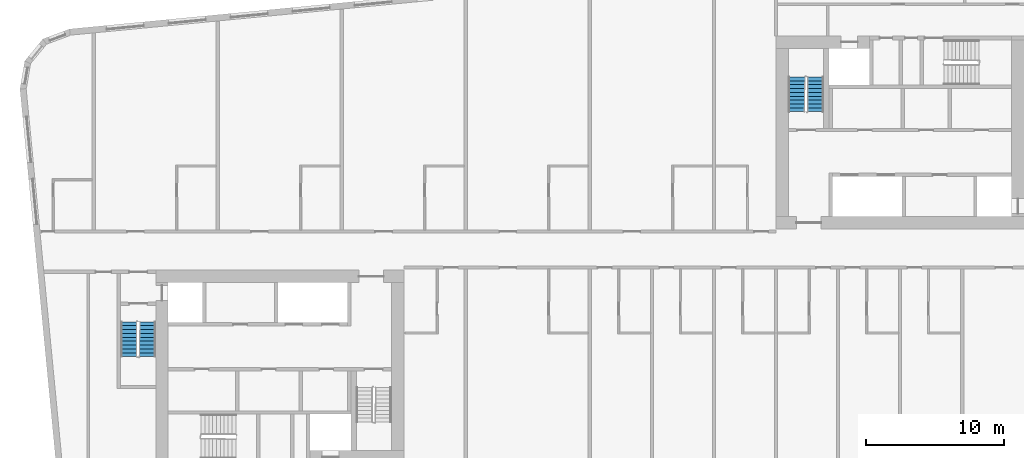
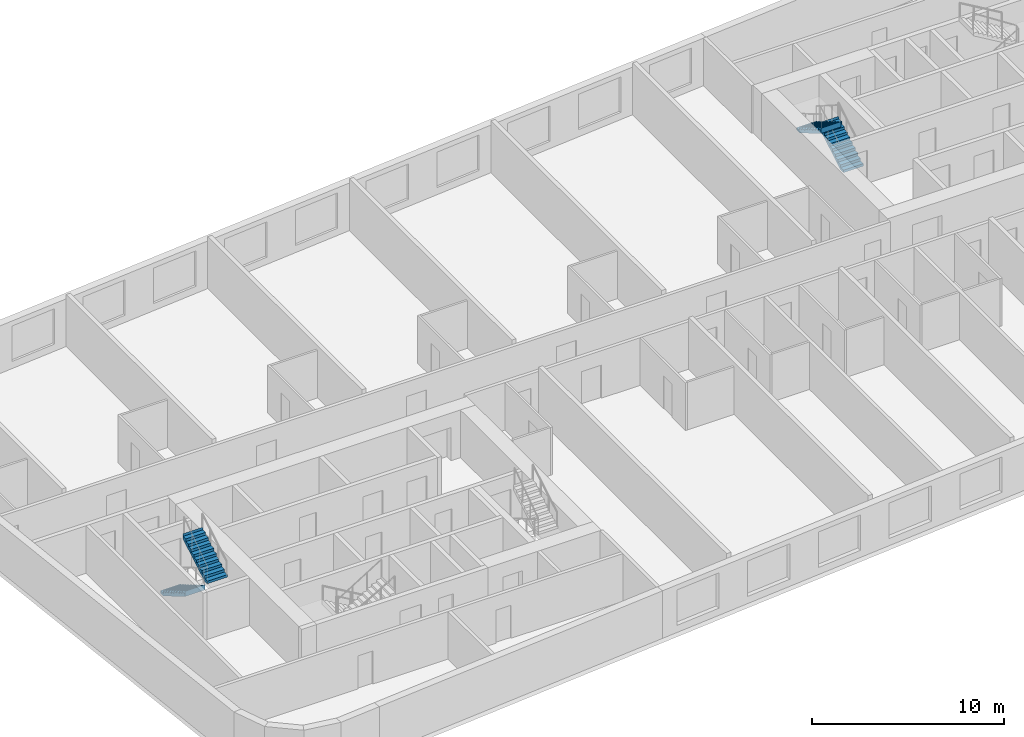
# One storey, part 9 of 11: 4 stair flights, 2 elements without a shape of their own.
"""IFC4 building model written with IfcOpenShell, lengths in metres."""

from ifc_helpers import new_model, si_unit, direction, frame, origin, place, context, subcontext, project, spatial, faceted_brep, material, type_object, element, aggregate, save


model = new_model("IFC4")

# Units and contexts
model_context = context("Model", 3, precision=1e-05, world=origin(), true_north=direction((0.0, 1.0)))
body_context = subcontext(model_context, "Body", "Model", "MODEL_VIEW")
ifc_project = project(units=[si_unit("LENGTHUNIT", "METRE"), si_unit("AREAUNIT", "SQUARE_METRE"), si_unit("VOLUMEUNIT", "CUBIC_METRE"), si_unit("PLANEANGLEUNIT", "RADIAN"), si_unit("MASSUNIT", "GRAM", prefix="KILO")], contexts=[model_context])

# Site, building, storey
site_placement = place(None, origin())
site = spatial("IfcSite", under=ifc_project, at=site_placement, CompositionType="ELEMENT")
building_placement = place(site_placement, origin())
building = spatial("IfcBuilding", under=site, at=building_placement, Name="Kajstack Hotel Tower", CompositionType="ELEMENT")
storey_placement = place(building_placement, frame((0.0, 0.0, 281.699951171875)))
storey = spatial("IfcBuildingStorey", under=building, at=storey_placement, Name="L70", CompositionType="ELEMENT", Elevation=281.699951171875)

# Stair, stair flights
ifc_material = material(Name="Concrete C40/50", Category="concrete")
stair_type = type_object("IfcStairType", Name="Exit stair 1200", PredefinedType="HALF_TURN_STAIR", material=ifc_material)
stair_1_placement = place(storey_placement, origin())
stair_1 = element("IfcStair", 1, at=stair_1_placement, inside=storey, type_object=stair_type, Name="L70 stair W1", PredefinedType="HALF_TURN_STAIR")
stair_flight_type = type_object("IfcStairFlightType", Name="Exit stair flight 1200", PredefinedType="STRAIGHT", material=ifc_material)
stair_flight_1_placement = place(storey_placement, frame((-33.449951171875, -5.25, 0.0), z_axis=(0.0, 0.0, 1.0), x_axis=(0.0, -1.0, 0.0)))
stair_flight_1 = element("IfcStairFlight", 2, at=stair_flight_1_placement, type_object=stair_flight_type, Name="W1 flight 1", NumberOfRisers=10, NumberOfTreads=9, PredefinedType="STRAIGHT", RiserHeight=0.165, TreadLength=0.28, context=body_context, shape_type="Brep", body=[
    faceted_brep([(0.295654296875, -0.60009765625, 0.0), (2.5205078125, -0.60009765625, 1.31103515625), (2.5205078125, -0.60009765625, 1.64990234375), (2.52001953125, -0.60009765625, 1.64990234375), (2.52001953125, -0.60009765625, 1.485107421875), (2.239990234375, -0.60009765625, 1.485107421875), (2.239990234375, -0.60009765625, 1.320068359375), (1.9599609375, -0.60009765625, 1.320068359375), (1.9599609375, -0.60009765625, 1.155029296875), (1.679931640625, -0.60009765625, 1.155029296875), (1.679931640625, -0.60009765625, 0.989990234375), (1.39990234375, -0.60009765625, 0.989990234375), (1.39990234375, -0.60009765625, 0.824951171875), (1.1201171875, -0.60009765625, 0.824951171875), (1.1201171875, -0.60009765625, 0.659912109375), (0.840087890625, -0.60009765625, 0.659912109375), (0.840087890625, -0.60009765625, 0.4951171875), (0.56005859375, -0.60009765625, 0.4951171875), (0.56005859375, -0.60009765625, 0.330078125), (0.280029296875, -0.60009765625, 0.330078125), (0.280029296875, -0.60009765625, 0.1650390625), (-0.00048828125, -0.60009765625, 0.1650390625), (-0.00048828125, -0.60009765625, 0.0), (-0.00048828125, 0.60009765625, 0.0), (-0.00048828125, 0.60009765625, 0.1650390625), (0.280029296875, 0.60009765625, 0.1650390625), (0.280029296875, 0.60009765625, 0.330078125), (0.56005859375, 0.60009765625, 0.330078125), (0.56005859375, 0.60009765625, 0.4951171875), (0.840087890625, 0.60009765625, 0.4951171875), (0.840087890625, 0.60009765625, 0.659912109375), (1.1201171875, 0.60009765625, 0.659912109375), (1.1201171875, 0.60009765625, 0.824951171875), (1.39990234375, 0.60009765625, 0.824951171875), (1.39990234375, 0.60009765625, 0.989990234375), (1.679931640625, 0.60009765625, 0.989990234375), (1.679931640625, 0.60009765625, 1.155029296875), (1.9599609375, 0.60009765625, 1.155029296875), (1.9599609375, 0.60009765625, 1.320068359375), (2.239990234375, 0.60009765625, 1.320068359375), (2.239990234375, 0.60009765625, 1.485107421875), (2.52001953125, 0.60009765625, 1.485107421875), (2.52001953125, 0.60009765625, 1.64990234375), (2.5205078125, 0.60009765625, 1.64990234375), (2.5205078125, 0.60009765625, 1.31103515625), (0.295654296875, 0.60009765625, 0.0), (-0.00048828125, -0.300048828125, 0.1650390625), (-0.00048828125, 0.0, 0.1650390625), (-0.00048828125, 0.300048828125, 0.1650390625), (-0.00048828125, 0.300048828125, 0.0), (-0.00048828125, 0.0, 0.0), (-0.00048828125, -0.300048828125, 0.0), (0.280029296875, -0.300048828125, 0.1650390625), (0.280029296875, 0.0, 0.1650390625), (0.280029296875, 0.300048828125, 0.1650390625), (0.280029296875, -0.300048828125, 0.330078125), (0.280029296875, 0.0, 0.330078125), (0.280029296875, 0.300048828125, 0.330078125), (0.56005859375, -0.300048828125, 0.330078125), (0.56005859375, 0.0, 0.330078125), (0.56005859375, 0.300048828125, 0.330078125), (0.56005859375, -0.300048828125, 0.4951171875), (0.56005859375, 0.0, 0.4951171875), (0.56005859375, 0.300048828125, 0.4951171875), (0.840087890625, -0.300048828125, 0.4951171875), (0.840087890625, 0.0, 0.4951171875), (0.840087890625, 0.300048828125, 0.4951171875), (0.840087890625, -0.300048828125, 0.659912109375), (0.840087890625, 0.0, 0.659912109375), (0.840087890625, 0.300048828125, 0.659912109375), (1.1201171875, -0.300048828125, 0.659912109375), (1.1201171875, 0.0, 0.659912109375), (1.1201171875, 0.300048828125, 0.659912109375), (1.1201171875, -0.300048828125, 0.824951171875), (1.1201171875, 0.0, 0.824951171875), (1.1201171875, 0.300048828125, 0.824951171875), (1.39990234375, -0.300048828125, 0.824951171875), (1.39990234375, 0.0, 0.824951171875), (1.39990234375, 0.300048828125, 0.824951171875), (1.39990234375, -0.300048828125, 0.989990234375), (1.39990234375, 0.0, 0.989990234375), (1.39990234375, 0.300048828125, 0.989990234375), (1.679931640625, -0.300048828125, 0.989990234375), (1.679931640625, 0.0, 0.989990234375), (1.679931640625, 0.300048828125, 0.989990234375), (1.679931640625, -0.300048828125, 1.155029296875), (1.679931640625, 0.0, 1.155029296875), (1.679931640625, 0.300048828125, 1.155029296875), (1.9599609375, -0.300048828125, 1.155029296875), (1.9599609375, 0.0, 1.155029296875), (1.9599609375, 0.300048828125, 1.155029296875), (1.9599609375, -0.300048828125, 1.320068359375), (1.9599609375, 0.0, 1.320068359375), (1.9599609375, 0.300048828125, 1.320068359375), (2.239990234375, -0.300048828125, 1.320068359375), (2.239990234375, 0.0, 1.320068359375), (2.239990234375, 0.300048828125, 1.320068359375), (2.239990234375, -0.300048828125, 1.485107421875), (2.239990234375, 0.0, 1.485107421875), (2.239990234375, 0.300048828125, 1.485107421875), (2.52001953125, -0.300048828125, 1.485107421875), (2.52001953125, 0.0, 1.485107421875), (2.52001953125, 0.300048828125, 1.485107421875), (2.52001953125, -0.300048828125, 1.64990234375), (2.52001953125, 0.0, 1.64990234375), (2.52001953125, 0.300048828125, 1.64990234375), (2.5205078125, -0.300048828125, 1.64990234375), (2.5205078125, 0.0, 1.64990234375), (2.5205078125, 0.300048828125, 1.64990234375), (2.5205078125, -0.300048828125, 1.31103515625), (2.5205078125, 0.0, 1.31103515625), (2.5205078125, 0.300048828125, 1.31103515625), (0.295654296875, -0.300048828125, 0.0), (0.295654296875, 0.0, 0.0), (0.295654296875, 0.300048828125, 0.0)], [[[0, 1, 2, 3, 4, 5, 6, 7, 8, 9, 10, 11, 12, 13, 14, 15, 16, 17, 18, 19, 20, 21, 22]], [[23, 24, 25, 26, 27, 28, 29, 30, 31, 32, 33, 34, 35, 36, 37, 38, 39, 40, 41, 42, 43, 44, 45]], [[21, 46, 47, 48, 24, 23, 49, 50, 51, 22]], [[20, 52, 53, 54, 25, 24, 48, 47, 46, 21]], [[19, 55, 56, 57, 26, 25, 54, 53, 52, 20]], [[18, 58, 59, 60, 27, 26, 57, 56, 55, 19]], [[17, 61, 62, 63, 28, 27, 60, 59, 58, 18]], [[16, 64, 65, 66, 29, 28, 63, 62, 61, 17]], [[15, 67, 68, 69, 30, 29, 66, 65, 64, 16]], [[14, 70, 71, 72, 31, 30, 69, 68, 67, 15]], [[13, 73, 74, 75, 32, 31, 72, 71, 70, 14]], [[12, 76, 77, 78, 33, 32, 75, 74, 73, 13]], [[11, 79, 80, 81, 34, 33, 78, 77, 76, 12]], [[10, 82, 83, 84, 35, 34, 81, 80, 79, 11]], [[9, 85, 86, 87, 36, 35, 84, 83, 82, 10]], [[8, 88, 89, 90, 37, 36, 87, 86, 85, 9]], [[7, 91, 92, 93, 38, 37, 90, 89, 88, 8]], [[6, 94, 95, 96, 39, 38, 93, 92, 91, 7]], [[5, 97, 98, 99, 40, 39, 96, 95, 94, 6]], [[4, 100, 101, 102, 41, 40, 99, 98, 97, 5]], [[3, 103, 104, 105, 42, 41, 102, 101, 100, 4]], [[2, 106, 107, 108, 43, 42, 105, 104, 103, 3]], [[1, 109, 110, 111, 44, 43, 108, 107, 106, 2]], [[0, 112, 113, 114, 45, 44, 111, 110, 109, 1]], [[22, 51, 50, 49, 23, 45, 114, 113, 112, 0]]]),
])
stair_flight_2_placement = place(storey_placement, frame((-32.10009765625, -7.77001953125, 1.650146484375), z_axis=(0.0, 0.0, 1.0), x_axis=(0.0, 1.0, 0.0)))
stair_flight_2 = element("IfcStairFlight", 3, at=stair_flight_2_placement, type_object=stair_flight_type, Name="W1 flight 2", NumberOfRisers=10, NumberOfTreads=9, PredefinedType="STRAIGHT", RiserHeight=0.165, TreadLength=0.28, context=body_context, shape_type="Brep", body=[
    faceted_brep([(0.295654296875, -0.60009765625, 0.0), (2.5205078125, -0.60009765625, 1.31103515625), (2.5205078125, -0.60009765625, 1.64990234375), (2.52001953125, -0.60009765625, 1.64990234375), (2.52001953125, -0.60009765625, 1.485107421875), (2.239990234375, -0.60009765625, 1.485107421875), (2.239990234375, -0.60009765625, 1.320068359375), (1.9599609375, -0.60009765625, 1.320068359375), (1.9599609375, -0.60009765625, 1.155029296875), (1.679931640625, -0.60009765625, 1.155029296875), (1.679931640625, -0.60009765625, 0.989990234375), (1.39990234375, -0.60009765625, 0.989990234375), (1.39990234375, -0.60009765625, 0.824951171875), (1.1201171875, -0.60009765625, 0.824951171875), (1.1201171875, -0.60009765625, 0.659912109375), (0.840087890625, -0.60009765625, 0.659912109375), (0.840087890625, -0.60009765625, 0.4951171875), (0.56005859375, -0.60009765625, 0.4951171875), (0.56005859375, -0.60009765625, 0.330078125), (0.280029296875, -0.60009765625, 0.330078125), (0.280029296875, -0.60009765625, 0.1650390625), (-0.00048828125, -0.60009765625, 0.1650390625), (-0.00048828125, -0.60009765625, 0.0), (-0.00048828125, 0.60009765625, 0.0), (-0.00048828125, 0.60009765625, 0.1650390625), (0.280029296875, 0.60009765625, 0.1650390625), (0.280029296875, 0.60009765625, 0.330078125), (0.56005859375, 0.60009765625, 0.330078125), (0.56005859375, 0.60009765625, 0.4951171875), (0.840087890625, 0.60009765625, 0.4951171875), (0.840087890625, 0.60009765625, 0.659912109375), (1.1201171875, 0.60009765625, 0.659912109375), (1.1201171875, 0.60009765625, 0.824951171875), (1.39990234375, 0.60009765625, 0.824951171875), (1.39990234375, 0.60009765625, 0.989990234375), (1.679931640625, 0.60009765625, 0.989990234375), (1.679931640625, 0.60009765625, 1.155029296875), (1.9599609375, 0.60009765625, 1.155029296875), (1.9599609375, 0.60009765625, 1.320068359375), (2.239990234375, 0.60009765625, 1.320068359375), (2.239990234375, 0.60009765625, 1.485107421875), (2.52001953125, 0.60009765625, 1.485107421875), (2.52001953125, 0.60009765625, 1.64990234375), (2.5205078125, 0.60009765625, 1.64990234375), (2.5205078125, 0.60009765625, 1.31103515625), (0.295654296875, 0.60009765625, 0.0), (-0.00048828125, -0.300048828125, 0.1650390625), (-0.00048828125, 0.0, 0.1650390625), (-0.00048828125, 0.300048828125, 0.1650390625), (-0.00048828125, 0.300048828125, 0.0), (-0.00048828125, 0.0, 0.0), (-0.00048828125, -0.300048828125, 0.0), (0.280029296875, -0.300048828125, 0.1650390625), (0.280029296875, 0.0, 0.1650390625), (0.280029296875, 0.300048828125, 0.1650390625), (0.280029296875, -0.300048828125, 0.330078125), (0.280029296875, 0.0, 0.330078125), (0.280029296875, 0.300048828125, 0.330078125), (0.56005859375, -0.300048828125, 0.330078125), (0.56005859375, 0.0, 0.330078125), (0.56005859375, 0.300048828125, 0.330078125), (0.56005859375, -0.300048828125, 0.4951171875), (0.56005859375, 0.0, 0.4951171875), (0.56005859375, 0.300048828125, 0.4951171875), (0.840087890625, -0.300048828125, 0.4951171875), (0.840087890625, 0.0, 0.4951171875), (0.840087890625, 0.300048828125, 0.4951171875), (0.840087890625, -0.300048828125, 0.659912109375), (0.840087890625, 0.0, 0.659912109375), (0.840087890625, 0.300048828125, 0.659912109375), (1.1201171875, -0.300048828125, 0.659912109375), (1.1201171875, 0.0, 0.659912109375), (1.1201171875, 0.300048828125, 0.659912109375), (1.1201171875, -0.300048828125, 0.824951171875), (1.1201171875, 0.0, 0.824951171875), (1.1201171875, 0.300048828125, 0.824951171875), (1.39990234375, -0.300048828125, 0.824951171875), (1.39990234375, 0.0, 0.824951171875), (1.39990234375, 0.300048828125, 0.824951171875), (1.39990234375, -0.300048828125, 0.989990234375), (1.39990234375, 0.0, 0.989990234375), (1.39990234375, 0.300048828125, 0.989990234375), (1.679931640625, -0.300048828125, 0.989990234375), (1.679931640625, 0.0, 0.989990234375), (1.679931640625, 0.300048828125, 0.989990234375), (1.679931640625, -0.300048828125, 1.155029296875), (1.679931640625, 0.0, 1.155029296875), (1.679931640625, 0.300048828125, 1.155029296875), (1.9599609375, -0.300048828125, 1.155029296875), (1.9599609375, 0.0, 1.155029296875), (1.9599609375, 0.300048828125, 1.155029296875), (1.9599609375, -0.300048828125, 1.320068359375), (1.9599609375, 0.0, 1.320068359375), (1.9599609375, 0.300048828125, 1.320068359375), (2.239990234375, -0.300048828125, 1.320068359375), (2.239990234375, 0.0, 1.320068359375), (2.239990234375, 0.300048828125, 1.320068359375), (2.239990234375, -0.300048828125, 1.485107421875), (2.239990234375, 0.0, 1.485107421875), (2.239990234375, 0.300048828125, 1.485107421875), (2.52001953125, -0.300048828125, 1.485107421875), (2.52001953125, 0.0, 1.485107421875), (2.52001953125, 0.300048828125, 1.485107421875), (2.52001953125, -0.300048828125, 1.64990234375), (2.52001953125, 0.0, 1.64990234375), (2.52001953125, 0.300048828125, 1.64990234375), (2.5205078125, -0.300048828125, 1.64990234375), (2.5205078125, 0.0, 1.64990234375), (2.5205078125, 0.300048828125, 1.64990234375), (2.5205078125, -0.300048828125, 1.31103515625), (2.5205078125, 0.0, 1.31103515625), (2.5205078125, 0.300048828125, 1.31103515625), (0.295654296875, -0.300048828125, 0.0), (0.295654296875, 0.0, 0.0), (0.295654296875, 0.300048828125, 0.0)], [[[0, 1, 2, 3, 4, 5, 6, 7, 8, 9, 10, 11, 12, 13, 14, 15, 16, 17, 18, 19, 20, 21, 22]], [[23, 24, 25, 26, 27, 28, 29, 30, 31, 32, 33, 34, 35, 36, 37, 38, 39, 40, 41, 42, 43, 44, 45]], [[21, 46, 47, 48, 24, 23, 49, 50, 51, 22]], [[20, 52, 53, 54, 25, 24, 48, 47, 46, 21]], [[19, 55, 56, 57, 26, 25, 54, 53, 52, 20]], [[18, 58, 59, 60, 27, 26, 57, 56, 55, 19]], [[17, 61, 62, 63, 28, 27, 60, 59, 58, 18]], [[16, 64, 65, 66, 29, 28, 63, 62, 61, 17]], [[15, 67, 68, 69, 30, 29, 66, 65, 64, 16]], [[14, 70, 71, 72, 31, 30, 69, 68, 67, 15]], [[13, 73, 74, 75, 32, 31, 72, 71, 70, 14]], [[12, 76, 77, 78, 33, 32, 75, 74, 73, 13]], [[11, 79, 80, 81, 34, 33, 78, 77, 76, 12]], [[10, 82, 83, 84, 35, 34, 81, 80, 79, 11]], [[9, 85, 86, 87, 36, 35, 84, 83, 82, 10]], [[8, 88, 89, 90, 37, 36, 87, 86, 85, 9]], [[7, 91, 92, 93, 38, 37, 90, 89, 88, 8]], [[6, 94, 95, 96, 39, 38, 93, 92, 91, 7]], [[5, 97, 98, 99, 40, 39, 96, 95, 94, 6]], [[4, 100, 101, 102, 41, 40, 99, 98, 97, 5]], [[3, 103, 104, 105, 42, 41, 102, 101, 100, 4]], [[2, 106, 107, 108, 43, 42, 105, 104, 103, 3]], [[1, 109, 110, 111, 44, 43, 108, 107, 106, 2]], [[0, 112, 113, 114, 45, 44, 111, 110, 109, 1]], [[22, 51, 50, 49, 23, 45, 114, 113, 112, 0]]]),
])
aggregate(stair_1, [stair_flight_1, stair_flight_2])

stair_2_placement = place(storey_placement, origin())
stair_2 = element("IfcStair", 4, at=stair_2_placement, inside=storey, type_object=stair_type, Name="L70 stair E2", PredefinedType="HALF_TURN_STAIR")
stair_flight_3_placement = place(storey_placement, frame((16.35009765625, 10.0, 0.0), z_axis=(0.0, 0.0, 1.0), x_axis=(0.0, 1.0, 0.0)))
stair_flight_3 = element("IfcStairFlight", 5, at=stair_flight_3_placement, type_object=stair_flight_type, Name="E2 flight 1", NumberOfRisers=10, NumberOfTreads=9, PredefinedType="STRAIGHT", RiserHeight=0.165, TreadLength=0.28, context=body_context, shape_type="Brep", body=[
    faceted_brep([(0.295654296875, -0.60009765625, 0.0), (2.5205078125, -0.60009765625, 1.31103515625), (2.5205078125, -0.60009765625, 1.64990234375), (2.52001953125, -0.60009765625, 1.64990234375), (2.52001953125, -0.60009765625, 1.485107421875), (2.239990234375, -0.60009765625, 1.485107421875), (2.239990234375, -0.60009765625, 1.320068359375), (1.9599609375, -0.60009765625, 1.320068359375), (1.9599609375, -0.60009765625, 1.155029296875), (1.679931640625, -0.60009765625, 1.155029296875), (1.679931640625, -0.60009765625, 0.989990234375), (1.39990234375, -0.60009765625, 0.989990234375), (1.39990234375, -0.60009765625, 0.824951171875), (1.1201171875, -0.60009765625, 0.824951171875), (1.1201171875, -0.60009765625, 0.659912109375), (0.840087890625, -0.60009765625, 0.659912109375), (0.840087890625, -0.60009765625, 0.4951171875), (0.56005859375, -0.60009765625, 0.4951171875), (0.56005859375, -0.60009765625, 0.330078125), (0.280029296875, -0.60009765625, 0.330078125), (0.280029296875, -0.60009765625, 0.1650390625), (-0.00048828125, -0.60009765625, 0.1650390625), (-0.00048828125, -0.60009765625, 0.0), (-0.00048828125, 0.60009765625, 0.0), (-0.00048828125, 0.60009765625, 0.1650390625), (0.280029296875, 0.60009765625, 0.1650390625), (0.280029296875, 0.60009765625, 0.330078125), (0.56005859375, 0.60009765625, 0.330078125), (0.56005859375, 0.60009765625, 0.4951171875), (0.840087890625, 0.60009765625, 0.4951171875), (0.840087890625, 0.60009765625, 0.659912109375), (1.1201171875, 0.60009765625, 0.659912109375), (1.1201171875, 0.60009765625, 0.824951171875), (1.39990234375, 0.60009765625, 0.824951171875), (1.39990234375, 0.60009765625, 0.989990234375), (1.679931640625, 0.60009765625, 0.989990234375), (1.679931640625, 0.60009765625, 1.155029296875), (1.9599609375, 0.60009765625, 1.155029296875), (1.9599609375, 0.60009765625, 1.320068359375), (2.239990234375, 0.60009765625, 1.320068359375), (2.239990234375, 0.60009765625, 1.485107421875), (2.52001953125, 0.60009765625, 1.485107421875), (2.52001953125, 0.60009765625, 1.64990234375), (2.5205078125, 0.60009765625, 1.64990234375), (2.5205078125, 0.60009765625, 1.31103515625), (0.295654296875, 0.60009765625, 0.0), (-0.00048828125, -0.300048828125, 0.1650390625), (-0.00048828125, 0.0, 0.1650390625), (-0.00048828125, 0.300048828125, 0.1650390625), (-0.00048828125, 0.300048828125, 0.0), (-0.00048828125, 0.0, 0.0), (-0.00048828125, -0.300048828125, 0.0), (0.280029296875, -0.300048828125, 0.1650390625), (0.280029296875, 0.0, 0.1650390625), (0.280029296875, 0.300048828125, 0.1650390625), (0.280029296875, -0.300048828125, 0.330078125), (0.280029296875, 0.0, 0.330078125), (0.280029296875, 0.300048828125, 0.330078125), (0.56005859375, -0.300048828125, 0.330078125), (0.56005859375, 0.0, 0.330078125), (0.56005859375, 0.300048828125, 0.330078125), (0.56005859375, -0.300048828125, 0.4951171875), (0.56005859375, 0.0, 0.4951171875), (0.56005859375, 0.300048828125, 0.4951171875), (0.840087890625, -0.300048828125, 0.4951171875), (0.840087890625, 0.0, 0.4951171875), (0.840087890625, 0.300048828125, 0.4951171875), (0.840087890625, -0.300048828125, 0.659912109375), (0.840087890625, 0.0, 0.659912109375), (0.840087890625, 0.300048828125, 0.659912109375), (1.1201171875, -0.300048828125, 0.659912109375), (1.1201171875, 0.0, 0.659912109375), (1.1201171875, 0.300048828125, 0.659912109375), (1.1201171875, -0.300048828125, 0.824951171875), (1.1201171875, 0.0, 0.824951171875), (1.1201171875, 0.300048828125, 0.824951171875), (1.39990234375, -0.300048828125, 0.824951171875), (1.39990234375, 0.0, 0.824951171875), (1.39990234375, 0.300048828125, 0.824951171875), (1.39990234375, -0.300048828125, 0.989990234375), (1.39990234375, 0.0, 0.989990234375), (1.39990234375, 0.300048828125, 0.989990234375), (1.679931640625, -0.300048828125, 0.989990234375), (1.679931640625, 0.0, 0.989990234375), (1.679931640625, 0.300048828125, 0.989990234375), (1.679931640625, -0.300048828125, 1.155029296875), (1.679931640625, 0.0, 1.155029296875), (1.679931640625, 0.300048828125, 1.155029296875), (1.9599609375, -0.300048828125, 1.155029296875), (1.9599609375, 0.0, 1.155029296875), (1.9599609375, 0.300048828125, 1.155029296875), (1.9599609375, -0.300048828125, 1.320068359375), (1.9599609375, 0.0, 1.320068359375), (1.9599609375, 0.300048828125, 1.320068359375), (2.239990234375, -0.300048828125, 1.320068359375), (2.239990234375, 0.0, 1.320068359375), (2.239990234375, 0.300048828125, 1.320068359375), (2.239990234375, -0.300048828125, 1.485107421875), (2.239990234375, 0.0, 1.485107421875), (2.239990234375, 0.300048828125, 1.485107421875), (2.52001953125, -0.300048828125, 1.485107421875), (2.52001953125, 0.0, 1.485107421875), (2.52001953125, 0.300048828125, 1.485107421875), (2.52001953125, -0.300048828125, 1.64990234375), (2.52001953125, 0.0, 1.64990234375), (2.52001953125, 0.300048828125, 1.64990234375), (2.5205078125, -0.300048828125, 1.64990234375), (2.5205078125, 0.0, 1.64990234375), (2.5205078125, 0.300048828125, 1.64990234375), (2.5205078125, -0.300048828125, 1.31103515625), (2.5205078125, 0.0, 1.31103515625), (2.5205078125, 0.300048828125, 1.31103515625), (0.295654296875, -0.300048828125, 0.0), (0.295654296875, 0.0, 0.0), (0.295654296875, 0.300048828125, 0.0)], [[[0, 1, 2, 3, 4, 5, 6, 7, 8, 9, 10, 11, 12, 13, 14, 15, 16, 17, 18, 19, 20, 21, 22]], [[23, 24, 25, 26, 27, 28, 29, 30, 31, 32, 33, 34, 35, 36, 37, 38, 39, 40, 41, 42, 43, 44, 45]], [[21, 46, 47, 48, 24, 23, 49, 50, 51, 22]], [[20, 52, 53, 54, 25, 24, 48, 47, 46, 21]], [[19, 55, 56, 57, 26, 25, 54, 53, 52, 20]], [[18, 58, 59, 60, 27, 26, 57, 56, 55, 19]], [[17, 61, 62, 63, 28, 27, 60, 59, 58, 18]], [[16, 64, 65, 66, 29, 28, 63, 62, 61, 17]], [[15, 67, 68, 69, 30, 29, 66, 65, 64, 16]], [[14, 70, 71, 72, 31, 30, 69, 68, 67, 15]], [[13, 73, 74, 75, 32, 31, 72, 71, 70, 14]], [[12, 76, 77, 78, 33, 32, 75, 74, 73, 13]], [[11, 79, 80, 81, 34, 33, 78, 77, 76, 12]], [[10, 82, 83, 84, 35, 34, 81, 80, 79, 11]], [[9, 85, 86, 87, 36, 35, 84, 83, 82, 10]], [[8, 88, 89, 90, 37, 36, 87, 86, 85, 9]], [[7, 91, 92, 93, 38, 37, 90, 89, 88, 8]], [[6, 94, 95, 96, 39, 38, 93, 92, 91, 7]], [[5, 97, 98, 99, 40, 39, 96, 95, 94, 6]], [[4, 100, 101, 102, 41, 40, 99, 98, 97, 5]], [[3, 103, 104, 105, 42, 41, 102, 101, 100, 4]], [[2, 106, 107, 108, 43, 42, 105, 104, 103, 3]], [[1, 109, 110, 111, 44, 43, 108, 107, 106, 2]], [[0, 112, 113, 114, 45, 44, 111, 110, 109, 1]], [[22, 51, 50, 49, 23, 45, 114, 113, 112, 0]]]),
])
stair_flight_4_placement = place(storey_placement, frame((15.0, 12.52001953125, 1.650146484375), z_axis=(0.0, 0.0, 1.0), x_axis=(0.0, -1.0, 0.0)))
stair_flight_4 = element("IfcStairFlight", 6, at=stair_flight_4_placement, type_object=stair_flight_type, Name="E2 flight 2", NumberOfRisers=10, NumberOfTreads=9, PredefinedType="STRAIGHT", RiserHeight=0.165, TreadLength=0.28, context=body_context, shape_type="Brep", body=[
    faceted_brep([(0.295654296875, -0.60009765625, 0.0), (2.5205078125, -0.60009765625, 1.31103515625), (2.5205078125, -0.60009765625, 1.64990234375), (2.52001953125, -0.60009765625, 1.64990234375), (2.52001953125, -0.60009765625, 1.485107421875), (2.239990234375, -0.60009765625, 1.485107421875), (2.239990234375, -0.60009765625, 1.320068359375), (1.9599609375, -0.60009765625, 1.320068359375), (1.9599609375, -0.60009765625, 1.155029296875), (1.679931640625, -0.60009765625, 1.155029296875), (1.679931640625, -0.60009765625, 0.989990234375), (1.39990234375, -0.60009765625, 0.989990234375), (1.39990234375, -0.60009765625, 0.824951171875), (1.1201171875, -0.60009765625, 0.824951171875), (1.1201171875, -0.60009765625, 0.659912109375), (0.840087890625, -0.60009765625, 0.659912109375), (0.840087890625, -0.60009765625, 0.4951171875), (0.56005859375, -0.60009765625, 0.4951171875), (0.56005859375, -0.60009765625, 0.330078125), (0.280029296875, -0.60009765625, 0.330078125), (0.280029296875, -0.60009765625, 0.1650390625), (-0.00048828125, -0.60009765625, 0.1650390625), (-0.00048828125, -0.60009765625, 0.0), (-0.00048828125, 0.60009765625, 0.0), (-0.00048828125, 0.60009765625, 0.1650390625), (0.280029296875, 0.60009765625, 0.1650390625), (0.280029296875, 0.60009765625, 0.330078125), (0.56005859375, 0.60009765625, 0.330078125), (0.56005859375, 0.60009765625, 0.4951171875), (0.840087890625, 0.60009765625, 0.4951171875), (0.840087890625, 0.60009765625, 0.659912109375), (1.1201171875, 0.60009765625, 0.659912109375), (1.1201171875, 0.60009765625, 0.824951171875), (1.39990234375, 0.60009765625, 0.824951171875), (1.39990234375, 0.60009765625, 0.989990234375), (1.679931640625, 0.60009765625, 0.989990234375), (1.679931640625, 0.60009765625, 1.155029296875), (1.9599609375, 0.60009765625, 1.155029296875), (1.9599609375, 0.60009765625, 1.320068359375), (2.239990234375, 0.60009765625, 1.320068359375), (2.239990234375, 0.60009765625, 1.485107421875), (2.52001953125, 0.60009765625, 1.485107421875), (2.52001953125, 0.60009765625, 1.64990234375), (2.5205078125, 0.60009765625, 1.64990234375), (2.5205078125, 0.60009765625, 1.31103515625), (0.295654296875, 0.60009765625, 0.0), (-0.00048828125, -0.300048828125, 0.1650390625), (-0.00048828125, 0.0, 0.1650390625), (-0.00048828125, 0.300048828125, 0.1650390625), (-0.00048828125, 0.300048828125, 0.0), (-0.00048828125, 0.0, 0.0), (-0.00048828125, -0.300048828125, 0.0), (0.280029296875, -0.300048828125, 0.1650390625), (0.280029296875, 0.0, 0.1650390625), (0.280029296875, 0.300048828125, 0.1650390625), (0.280029296875, -0.300048828125, 0.330078125), (0.280029296875, 0.0, 0.330078125), (0.280029296875, 0.300048828125, 0.330078125), (0.56005859375, -0.300048828125, 0.330078125), (0.56005859375, 0.0, 0.330078125), (0.56005859375, 0.300048828125, 0.330078125), (0.56005859375, -0.300048828125, 0.4951171875), (0.56005859375, 0.0, 0.4951171875), (0.56005859375, 0.300048828125, 0.4951171875), (0.840087890625, -0.300048828125, 0.4951171875), (0.840087890625, 0.0, 0.4951171875), (0.840087890625, 0.300048828125, 0.4951171875), (0.840087890625, -0.300048828125, 0.659912109375), (0.840087890625, 0.0, 0.659912109375), (0.840087890625, 0.300048828125, 0.659912109375), (1.1201171875, -0.300048828125, 0.659912109375), (1.1201171875, 0.0, 0.659912109375), (1.1201171875, 0.300048828125, 0.659912109375), (1.1201171875, -0.300048828125, 0.824951171875), (1.1201171875, 0.0, 0.824951171875), (1.1201171875, 0.300048828125, 0.824951171875), (1.39990234375, -0.300048828125, 0.824951171875), (1.39990234375, 0.0, 0.824951171875), (1.39990234375, 0.300048828125, 0.824951171875), (1.39990234375, -0.300048828125, 0.989990234375), (1.39990234375, 0.0, 0.989990234375), (1.39990234375, 0.300048828125, 0.989990234375), (1.679931640625, -0.300048828125, 0.989990234375), (1.679931640625, 0.0, 0.989990234375), (1.679931640625, 0.300048828125, 0.989990234375), (1.679931640625, -0.300048828125, 1.155029296875), (1.679931640625, 0.0, 1.155029296875), (1.679931640625, 0.300048828125, 1.155029296875), (1.9599609375, -0.300048828125, 1.155029296875), (1.9599609375, 0.0, 1.155029296875), (1.9599609375, 0.300048828125, 1.155029296875), (1.9599609375, -0.300048828125, 1.320068359375), (1.9599609375, 0.0, 1.320068359375), (1.9599609375, 0.300048828125, 1.320068359375), (2.239990234375, -0.300048828125, 1.320068359375), (2.239990234375, 0.0, 1.320068359375), (2.239990234375, 0.300048828125, 1.320068359375), (2.239990234375, -0.300048828125, 1.485107421875), (2.239990234375, 0.0, 1.485107421875), (2.239990234375, 0.300048828125, 1.485107421875), (2.52001953125, -0.300048828125, 1.485107421875), (2.52001953125, 0.0, 1.485107421875), (2.52001953125, 0.300048828125, 1.485107421875), (2.52001953125, -0.300048828125, 1.64990234375), (2.52001953125, 0.0, 1.64990234375), (2.52001953125, 0.300048828125, 1.64990234375), (2.5205078125, -0.300048828125, 1.64990234375), (2.5205078125, 0.0, 1.64990234375), (2.5205078125, 0.300048828125, 1.64990234375), (2.5205078125, -0.300048828125, 1.31103515625), (2.5205078125, 0.0, 1.31103515625), (2.5205078125, 0.300048828125, 1.31103515625), (0.295654296875, -0.300048828125, 0.0), (0.295654296875, 0.0, 0.0), (0.295654296875, 0.300048828125, 0.0)], [[[0, 1, 2, 3, 4, 5, 6, 7, 8, 9, 10, 11, 12, 13, 14, 15, 16, 17, 18, 19, 20, 21, 22]], [[23, 24, 25, 26, 27, 28, 29, 30, 31, 32, 33, 34, 35, 36, 37, 38, 39, 40, 41, 42, 43, 44, 45]], [[21, 46, 47, 48, 24, 23, 49, 50, 51, 22]], [[20, 52, 53, 54, 25, 24, 48, 47, 46, 21]], [[19, 55, 56, 57, 26, 25, 54, 53, 52, 20]], [[18, 58, 59, 60, 27, 26, 57, 56, 55, 19]], [[17, 61, 62, 63, 28, 27, 60, 59, 58, 18]], [[16, 64, 65, 66, 29, 28, 63, 62, 61, 17]], [[15, 67, 68, 69, 30, 29, 66, 65, 64, 16]], [[14, 70, 71, 72, 31, 30, 69, 68, 67, 15]], [[13, 73, 74, 75, 32, 31, 72, 71, 70, 14]], [[12, 76, 77, 78, 33, 32, 75, 74, 73, 13]], [[11, 79, 80, 81, 34, 33, 78, 77, 76, 12]], [[10, 82, 83, 84, 35, 34, 81, 80, 79, 11]], [[9, 85, 86, 87, 36, 35, 84, 83, 82, 10]], [[8, 88, 89, 90, 37, 36, 87, 86, 85, 9]], [[7, 91, 92, 93, 38, 37, 90, 89, 88, 8]], [[6, 94, 95, 96, 39, 38, 93, 92, 91, 7]], [[5, 97, 98, 99, 40, 39, 96, 95, 94, 6]], [[4, 100, 101, 102, 41, 40, 99, 98, 97, 5]], [[3, 103, 104, 105, 42, 41, 102, 101, 100, 4]], [[2, 106, 107, 108, 43, 42, 105, 104, 103, 3]], [[1, 109, 110, 111, 44, 43, 108, 107, 106, 2]], [[0, 112, 113, 114, 45, 44, 111, 110, 109, 1]], [[22, 51, 50, 49, 23, 45, 114, 113, 112, 0]]]),
])
aggregate(stair_2, [stair_flight_3, stair_flight_4])

save(model, "model.ifc")
